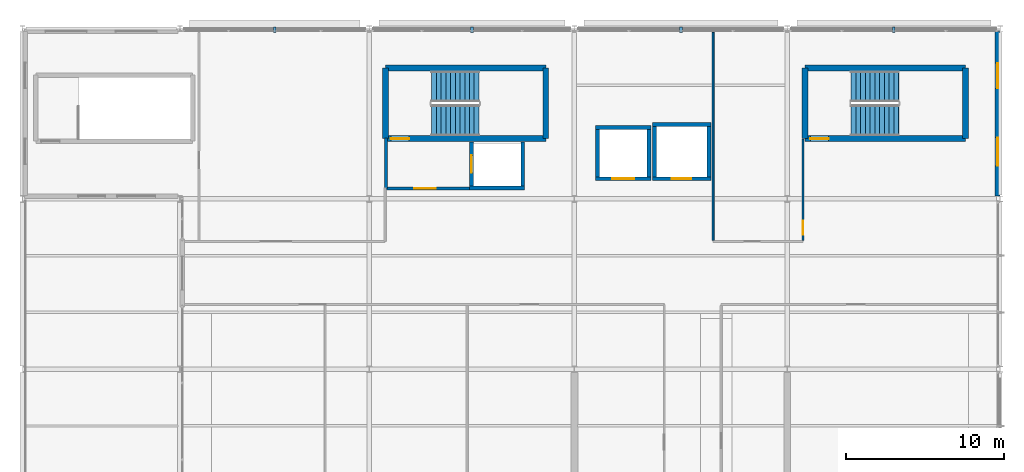
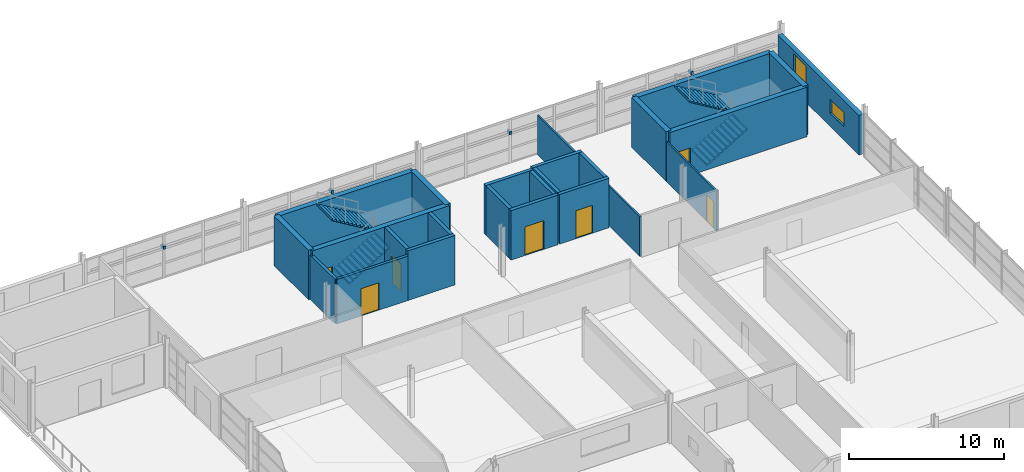
# One storey, part 29 of 33: 24 walls, 7 doors, 4 discrete accessories, 4 stair flights, 2 windows, 9 openings, 2 elements without a shape of their own.
"""IFC4 building model written with IfcOpenShell, lengths in metres."""

from ifc_helpers import new_model, si_unit, direction, frame, frame_2d, origin, origin_2d, place, context, subcontext, project, spatial, polyline, rectangle, outline, extrude, material, layer, layer_set, type_object, element, fill, aggregate, save


model = new_model("IFC4")

# Units and contexts
model_context = context("Model", 3, precision=1e-05, world=origin(), true_north=direction((0.0, 1.0)))
body_context = subcontext(model_context, "Body", "Model", "MODEL_VIEW")
ifc_project = project(units=[si_unit("LENGTHUNIT", "METRE"), si_unit("AREAUNIT", "SQUARE_METRE"), si_unit("VOLUMEUNIT", "CUBIC_METRE"), si_unit("PLANEANGLEUNIT", "RADIAN"), si_unit("MASSUNIT", "GRAM", prefix="KILO")], contexts=[model_context])

# Site, building, storey
site_placement = place(None, origin())
site = spatial("IfcSite", under=ifc_project, at=site_placement, CompositionType="ELEMENT")
building_placement = place(site_placement, origin())
building = spatial("IfcBuilding", under=site, at=building_placement, Name="Tamarisk Ironworks Central Station", CompositionType="ELEMENT")
storey_placement = place(building_placement, frame((0.0, 0.0, 21.300048828125)))
storey = spatial("IfcBuildingStorey", under=building, at=storey_placement, Name="L04", CompositionType="ELEMENT", Elevation=21.300048828125)

# Wall, openings, windows
ifc_material_1 = material(Name="Clay facing brickwork and mortar", Category="masonry")
ifc_layer_1 = layer(ifc_material_1, 0.340087890625)
ifc_layer_set_1 = layer_set([ifc_layer_1], Name="Clay facing brickwork and mortar")
wall_type_1 = type_object("IfcWallType", Name="WL-BR340", PredefinedType="STANDARD", material=ifc_layer_set_1)
wall_1_placement = place(storey_placement, frame((179.830078125, 122.221923828125, 0.0), z_axis=(0.0, 0.0, 1.0), x_axis=(0.0, -1.0, 0.0)))
wall_1 = element("IfcWall", 1, at=wall_1_placement, inside=storey, type_object=wall_type_1, Name="L04 brick facade wall 0089", PredefinedType="STANDARD", context=body_context, shape_type="SweptSolid", body=[
    extrude(rectangle(XDim=10.44384765625, YDim=0.340087890625, at=frame_2d((5.221923828125, 0.0))), origin(), (0.0, 0.0, 1.0), 3.119873046875),
])
opening_1_placement = place(wall_1_placement, frame((2.010986328125, 0.0, 0.75)))
opening_1 = element("IfcOpeningElement", 2, at=opening_1_placement, cuts=wall_1, Name="Opening W10", PredefinedType="OPENING", context=body_context, shape_type="SweptSolid", body=[
    extrude(rectangle(XDim=1.60009765625, YDim=2.10009765625, at=frame_2d((0.800048828125, 1.050048828125))), frame((0.0, 0.18212890625, 0.0), z_axis=(0.0, -1.0, 0.0), x_axis=(1.0, 0.0, 0.0)), (0.0, 0.0, 1.0), 0.364013671875),
])
opening_2_placement = place(wall_1_placement, frame((6.73291015625, 0.0, 1.050048828125)))
opening_2 = element("IfcOpeningElement", 3, at=opening_2_placement, cuts=wall_1, Name="Opening W18", PredefinedType="OPENING", context=body_context, shape_type="SweptSolid", body=[
    extrude(rectangle(XDim=1.800048828125, YDim=1.10009765625, at=frame_2d((0.89990234375, 0.550048828125))), frame((0.0, 0.18212890625, 0.0), z_axis=(0.0, -1.0, 0.0), x_axis=(1.0, 0.0, 0.0)), (0.0, 0.0, 1.0), 0.364013671875),
])
ifc_material_2 = material(Name="Laminated solar-control low-E glass", Category="glass")
window_type_1 = type_object("IfcWindowType", Name="WN-10", PartitioningType="SINGLE_PANEL", PredefinedType="WINDOW", material=ifc_material_2)
window_1_placement = place(opening_1_placement, origin())
window_1 = element("IfcWindow", 4, at=window_1_placement, inside=storey, type_object=window_type_1, Name="L04 exterior window 0152", OverallHeight=2.10009765625, OverallWidth=1.60009765625, PartitioningType="DOUBLE_PANEL_VERTICAL", PredefinedType="WINDOW", context=body_context, shape_type="SweptSolid", body=[
    extrude(rectangle(XDim=1.60009765625, YDim=2.10009765625, at=frame_2d((0.800048828125, 1.050048828125))), frame((0.0, 0.030029296875, 0.0), z_axis=(0.0, -1.0, 0.0), x_axis=(1.0, 0.0, 0.0)), (0.0, 0.0, 1.0), 0.06005859375),
])
fill(opening_1, window_1)
window_type_2 = type_object("IfcWindowType", Name="WN-18", PartitioningType="SINGLE_PANEL", PredefinedType="WINDOW", material=ifc_material_2)
window_2_placement = place(opening_2_placement, origin())
window_2 = element("IfcWindow", 5, at=window_2_placement, inside=storey, type_object=window_type_2, Name="L04 exterior window 0153", OverallHeight=1.10009765625, OverallWidth=1.800048828125, PartitioningType="DOUBLE_PANEL_VERTICAL", PredefinedType="WINDOW", context=body_context, shape_type="SweptSolid", body=[
    extrude(rectangle(XDim=1.800048828125, YDim=1.10009765625, at=frame_2d((0.89990234375, 0.550048828125))), frame((0.0, 0.030029296875, 0.0), z_axis=(0.0, -1.0, 0.0), x_axis=(1.0, 0.0, 0.0)), (0.0, 0.0, 1.0), 0.06005859375),
])
fill(opening_2, window_2)

# Wall, opening, door
ifc_material_3 = material(Name="Concrete C50/60", Category="concrete")
ifc_layer_2 = layer(ifc_material_3, 0.3798828125)
ifc_layer_set_2 = layer_set([ifc_layer_2], Name="Concrete C50/60")
wall_type_2 = type_object("IfcWallType", Name="WL-CW380", PredefinedType="SOLIDWALL", material=ifc_layer_set_2)
wall_2_placement = place(storey_placement, frame((141.014892578125, 115.4150390625, 0.0), z_axis=(0.0, 0.0, 1.0), x_axis=(1.0, 0.0, 0.0)))
wall_2 = element("IfcWall", 6, at=wall_2_placement, inside=storey, type_object=wall_type_2, Name="ST-C1 core wall L (L04)", PredefinedType="SOLIDWALL", context=body_context, shape_type="SweptSolid", body=[
    extrude(rectangle(XDim=10.170166015625, YDim=0.3798828125, at=frame_2d((5.0849609375, 0.0))), origin(), (0.0, 0.0, 1.0), 3.89990234375),
])
opening_3_placement = place(wall_2_placement, frame((0.35009765625, 0.0, 0.0048828125)))
opening_3 = element("IfcOpeningElement", 7, at=opening_3_placement, cuts=wall_2, Name="Opening FD06", PredefinedType="OPENING", context=body_context, shape_type="SweptSolid", body=[
    extrude(rectangle(XDim=1.14990234375, YDim=2.14990234375, at=frame_2d((0.574951171875, 1.074951171875))), frame((0.0, 0.201904296875, 0.0), z_axis=(0.0, -1.0, 0.0), x_axis=(1.0, 0.0, 0.0)), (0.0, 0.0, 1.0), 0.40380859375),
])
ifc_material_4 = material(Name="Galvanised hollow-metal door steel", Category="steel")
door_type_1 = type_object("IfcDoorType", Name="DR-FD06", OperationType="NOTDEFINED", PredefinedType="DOOR", material=ifc_material_4)
door_1_placement = place(opening_3_placement, origin())
door_1 = element("IfcDoor", 8, at=door_1_placement, inside=storey, type_object=door_type_1, Name="ST-C1 fire stair door (L04)", OperationType="SINGLE_SWING_LEFT", OverallHeight=2.14990234375, OverallWidth=1.14990234375, PredefinedType="DOOR", context=body_context, shape_type="SweptSolid", body=[
    extrude(rectangle(XDim=1.14990234375, YDim=2.14990234375, at=frame_2d((0.574951171875, 1.074951171875))), frame((0.0, 0.02490234375, 0.0), z_axis=(0.0, -1.0, 0.0), x_axis=(1.0, 0.0, 0.0)), (0.0, 0.0, 1.0), 0.050048828125),
])
fill(opening_3, door_1)

# Walls
wall_3_placement = place(storey_placement, frame((141.014892578125, 119.885009765625, 0.0), z_axis=(0.0, 0.0, 1.0), x_axis=(1.0, 0.0, 0.0)))
element("IfcWall", 9, at=wall_3_placement, inside=storey, type_object=wall_type_2, Name="ST-C1 core wall R (L04)", PredefinedType="SOLIDWALL", context=body_context, shape_type="SweptSolid", body=[
    extrude(rectangle(XDim=10.170166015625, YDim=0.3798828125, at=frame_2d((5.0849609375, 0.0))), origin(), (0.0, 0.0, 1.0), 3.89990234375),
])
for number, where, z_axis, x_axis, name in (
    (10, (141.014892578125, 115.4150390625, 0.0), (0.0, 0.0, 1.0), (0.0, 1.0, 0.0), "ST-C1 core wall N (L04)"),
    (11, (151.18505859375, 115.4150390625, 0.0), (0.0, 0.0, 1.0), (0.0, 1.0, 0.0), "ST-C1 core wall F (L04)"),
):
    element("IfcWall", number, at=place(storey_placement, frame(where, z_axis=z_axis, x_axis=x_axis)), inside=storey, type_object=wall_type_2, Name=name, PredefinedType="SOLIDWALL", context=body_context, shape_type="SweptSolid", body=[
        extrude(rectangle(XDim=4.469970703125, YDim=0.3798828125, at=frame_2d((2.23486328125, 0.0))), origin(), (0.0, 0.0, 1.0), 3.89990234375),
    ])

# Wall, opening, door
wall_4_placement = place(storey_placement, frame((167.614990234375, 115.4150390625, 0.0), z_axis=(0.0, 0.0, 1.0), x_axis=(1.0, 0.0, 0.0)))
wall_4 = element("IfcWall", 12, at=wall_4_placement, inside=storey, type_object=wall_type_2, Name="ST-C2 core wall L (L04)", PredefinedType="SOLIDWALL", context=body_context, shape_type="SweptSolid", body=[
    extrude(rectangle(XDim=10.169921875, YDim=0.3798828125, at=frame_2d((5.0849609375, 0.0))), origin(), (0.0, 0.0, 1.0), 3.89990234375),
])
opening_4_placement = place(wall_4_placement, frame((0.35009765625, 0.0, 0.0048828125)))
opening_4 = element("IfcOpeningElement", 13, at=opening_4_placement, cuts=wall_4, Name="Opening FD06", PredefinedType="OPENING", context=body_context, shape_type="SweptSolid", body=[
    extrude(rectangle(XDim=1.14990234375, YDim=2.14990234375, at=frame_2d((0.574951171875, 1.074951171875))), frame((0.0, 0.201904296875, 0.0), z_axis=(0.0, -1.0, 0.0), x_axis=(1.0, 0.0, 0.0)), (0.0, 0.0, 1.0), 0.40380859375),
])
door_2_placement = place(opening_4_placement, origin())
door_2 = element("IfcDoor", 14, at=door_2_placement, inside=storey, type_object=door_type_1, Name="ST-C2 fire stair door (L04)", OperationType="SINGLE_SWING_LEFT", OverallHeight=2.14990234375, OverallWidth=1.14990234375, PredefinedType="DOOR", context=body_context, shape_type="SweptSolid", body=[
    extrude(rectangle(XDim=1.14990234375, YDim=2.14990234375, at=frame_2d((0.574951171875, 1.074951171875))), frame((0.0, 0.02490234375, 0.0), z_axis=(0.0, -1.0, 0.0), x_axis=(1.0, 0.0, 0.0)), (0.0, 0.0, 1.0), 0.050048828125),
])
fill(opening_4, door_2)

# Walls
wall_5_placement = place(storey_placement, frame((167.614990234375, 119.885009765625, 0.0), z_axis=(0.0, 0.0, 1.0), x_axis=(1.0, 0.0, 0.0)))
element("IfcWall", 15, at=wall_5_placement, inside=storey, type_object=wall_type_2, Name="ST-C2 core wall R (L04)", PredefinedType="SOLIDWALL", context=body_context, shape_type="SweptSolid", body=[
    extrude(rectangle(XDim=10.169921875, YDim=0.3798828125, at=frame_2d((5.0849609375, 0.0))), origin(), (0.0, 0.0, 1.0), 3.89990234375),
])
for number, where, z_axis, x_axis, name in (
    (16, (167.614990234375, 115.4150390625, 0.0), (0.0, 0.0, 1.0), (0.0, 1.0, 0.0), "ST-C2 core wall N (L04)"),
    (17, (177.784912109375, 115.4150390625, 0.0), (0.0, 0.0, 1.0), (0.0, 1.0, 0.0), "ST-C2 core wall F (L04)"),
):
    element("IfcWall", number, at=place(storey_placement, frame(where, z_axis=z_axis, x_axis=x_axis)), inside=storey, type_object=wall_type_2, Name=name, PredefinedType="SOLIDWALL", context=body_context, shape_type="SweptSolid", body=[
        extrude(rectangle(XDim=4.469970703125, YDim=0.3798828125, at=frame_2d((2.23486328125, 0.0))), origin(), (0.0, 0.0, 1.0), 3.89990234375),
    ])

# Wall, opening, door
ifc_material_5 = material(Name="Gypsum plasterboard acoustic partition")
ifc_layer_3 = layer(ifc_material_5, 0.1201171875)
ifc_layer_set_3 = layer_set([ifc_layer_3], Name="Gypsum plasterboard acoustic partition")
wall_type_3 = type_object("IfcWallType", Name="WL-PT120", PredefinedType="PARTITIONING", material=ifc_layer_set_3)
wall_6_placement = place(storey_placement, frame((167.5, 108.972900390625, 0.0), z_axis=(0.0, 0.0, 1.0), x_axis=(0.0, 1.0, 0.0)))
wall_6 = element("IfcWall", 18, at=wall_6_placement, inside=storey, type_object=wall_type_3, Name="L04 interior partition 0123", PredefinedType="PARTITIONING", context=body_context, shape_type="SweptSolid", body=[
    extrude(rectangle(XDim=6.427001953125, YDim=0.1201171875, at=frame_2d((3.21337890625, 0.0))), origin(), (0.0, 0.0, 1.0), 3.119873046875),
])
opening_5_placement = place(wall_6_placement, frame((0.35009765625, 0.0, 0.0048828125)))
opening_5 = element("IfcOpeningElement", 19, at=opening_5_placement, cuts=wall_6, Name="Opening D08", PredefinedType="OPENING", context=body_context, shape_type="SweptSolid", body=[
    extrude(rectangle(XDim=0.89990234375, YDim=2.10009765625, at=frame_2d((0.449951171875, 1.050048828125))), frame((0.0, 0.072021484375, 0.0), z_axis=(0.0, -1.0, 0.0), x_axis=(1.0, 0.0, 0.0)), (0.0, 0.0, 1.0), 0.14404296875),
])
ifc_material_6 = material(Name="FSC certified tropical hardwood timber", Category="wood")
door_type_2 = type_object("IfcDoorType", Name="DR-ID08", OperationType="NOTDEFINED", PredefinedType="DOOR", material=ifc_material_6)
door_3_placement = place(opening_5_placement, origin())
door_3 = element("IfcDoor", 20, at=door_3_placement, inside=storey, type_object=door_type_2, Name="L04 room door 0093", OperationType="SINGLE_SWING_RIGHT", OverallHeight=2.10009765625, OverallWidth=0.89990234375, PredefinedType="DOOR", context=body_context, shape_type="SweptSolid", body=[
    extrude(rectangle(XDim=0.89990234375, YDim=2.10009765625, at=frame_2d((0.449951171875, 1.050048828125))), frame((0.0, 0.02490234375, 0.0), z_axis=(0.0, -1.0, 0.0), x_axis=(1.0, 0.0, 0.0)), (0.0, 0.0, 1.0), 0.050048828125),
])
fill(opening_5, door_3)

# Wall
wall_7_placement = place(storey_placement, frame((161.800048828125, 108.972900390625, 0.0), z_axis=(0.0, 0.0, 1.0), x_axis=(0.0, 1.0, 0.0)))
element("IfcWall", 21, at=wall_7_placement, inside=storey, type_object=wall_type_3, Name="L04 interior partition 0124", PredefinedType="PARTITIONING", context=body_context, shape_type="SweptSolid", body=[
    extrude(rectangle(XDim=13.189208984375, YDim=0.1201171875, at=frame_2d((6.5947265625, 0.0))), origin(), (0.0, 0.0, 1.0), 3.119873046875),
])

# Wall, opening, door
ifc_layer_4 = layer(ifc_material_1, 0.199951171875)
ifc_layer_set_4 = layer_set([ifc_layer_4], Name="Clay facing brickwork and mortar")
wall_type_4 = type_object("IfcWallType", Name="WL-PT200", PredefinedType="PARTITIONING", material=ifc_layer_set_4)
wall_8_placement = place(storey_placement, frame((141.050048828125, 112.25, 0.0), z_axis=(0.0, 0.0, 1.0), x_axis=(1.0, 0.0, 0.0)))
wall_8 = element("IfcWall", 22, at=wall_8_placement, inside=storey, type_object=wall_type_4, Name="Firefighting lift lobby south wall (L04)", PredefinedType="PARTITIONING", context=body_context, shape_type="SweptSolid", body=[
    extrude(rectangle(XDim=5.300048828125, YDim=0.199951171875, at=frame_2d((2.64990234375, 0.0))), origin(), (0.0, 0.0, 1.0), 3.5),
])
opening_6_placement = place(wall_8_placement, frame((1.800048828125, 0.0, 0.0048828125)))
opening_6 = element("IfcOpeningElement", 23, at=opening_6_placement, cuts=wall_8, Name="Opening FD05", PredefinedType="OPENING", context=body_context, shape_type="SweptSolid", body=[
    extrude(rectangle(XDim=1.35009765625, YDim=2.14990234375, at=frame_2d((0.675048828125, 1.074951171875))), frame((0.0, 0.11181640625, 0.0), z_axis=(0.0, -1.0, 0.0), x_axis=(1.0, 0.0, 0.0)), (0.0, 0.0, 1.0), 0.223876953125),
])
door_type_3 = type_object("IfcDoorType", Name="DR-FD05", OperationType="NOTDEFINED", PredefinedType="DOOR", material=ifc_material_4)
door_4_placement = place(opening_6_placement, origin())
door_4 = element("IfcDoor", 24, at=door_4_placement, inside=storey, type_object=door_type_3, Name="Firefighting lift lobby fire door (L04)", OperationType="SINGLE_SWING_LEFT", OverallHeight=2.14990234375, OverallWidth=1.35009765625, PredefinedType="DOOR", context=body_context, shape_type="SweptSolid", body=[
    extrude(rectangle(XDim=1.35009765625, YDim=2.14990234375, at=frame_2d((0.675048828125, 1.074951171875))), frame((0.0, 0.02490234375, 0.0), z_axis=(0.0, -1.0, 0.0), x_axis=(1.0, 0.0, 0.0)), (0.0, 0.0, 1.0), 0.050048828125),
])
fill(opening_6, door_4)

# Walls
wall_9_placement = place(storey_placement, frame((141.050048828125, 112.25, 0.0), z_axis=(0.0, 0.0, 1.0), x_axis=(0.0, 1.0, 0.0)))
element("IfcWall", 25, at=wall_9_placement, inside=storey, type_object=wall_type_4, Name="Firefighting lift lobby west wall (L04)", PredefinedType="PARTITIONING", context=body_context, shape_type="SweptSolid", body=[
    extrude(rectangle(XDim=3.199951171875, YDim=0.199951171875, at=frame_2d((1.60009765625, 0.0))), origin(), (0.0, 0.0, 1.0), 3.5),
])
ifc_layer_5 = layer(ifc_material_3, 0.25)
ifc_layer_set_5 = layer_set([ifc_layer_5], Name="Concrete C50/60")
wall_type_5 = type_object("IfcWallType", Name="WL-SH250", PredefinedType="SOLIDWALL", material=ifc_layer_set_5)
wall_10_placement = place(storey_placement, frame((146.35009765625, 112.27490234375, 0.0), z_axis=(0.0, 0.0, 1.0), x_axis=(1.0, 0.0, 0.0)))
element("IfcWall", 26, at=wall_10_placement, inside=storey, type_object=wall_type_5, Name="LF-FF1 lift shaft wall S (L04)", PredefinedType="SOLIDWALL", context=body_context, shape_type="SweptSolid", body=[
    extrude(rectangle(XDim=3.5, YDim=0.25, at=frame_2d((1.75, 0.0))), origin(), (0.0, 0.0, 1.0), 3.89990234375),
])

# Wall, opening, door
wall_11_placement = place(storey_placement, frame((146.47509765625, 112.39990234375, 0.0), z_axis=(0.0, 0.0, 1.0), x_axis=(0.0, 1.0, 0.0)))
wall_11 = element("IfcWall", 27, at=wall_11_placement, inside=storey, type_object=wall_type_5, Name="LF-FF1 lift shaft wall W (L04)", PredefinedType="SOLIDWALL", context=body_context, shape_type="SweptSolid", body=[
    extrude(rectangle(XDim=2.800048828125, YDim=0.25, at=frame_2d((1.39990234375, 0.0))), origin(), (0.0, 0.0, 1.0), 3.89990234375),
])
opening_7_placement = place(wall_11_placement, frame((0.85009765625, 0.0, 0.0048828125)))
opening_7 = element("IfcOpeningElement", 28, at=opening_7_placement, cuts=wall_11, Name="Opening LD03", PredefinedType="OPENING", context=body_context, shape_type="SweptSolid", body=[
    extrude(rectangle(XDim=1.10009765625, YDim=2.14990234375, at=frame_2d((0.550048828125, 1.074951171875))), frame((0.0, 0.136962890625, 0.0), z_axis=(0.0, -1.0, 0.0), x_axis=(1.0, 0.0, 0.0)), (0.0, 0.0, 1.0), 0.27392578125),
])
ifc_material_7 = material(Name="Brushed stainless steel AISI 316", Category="steel")
door_type_4 = type_object("IfcDoorType", Name="DR-LD03", OperationType="NOTDEFINED", PredefinedType="DOOR", material=ifc_material_7)
door_5_placement = place(opening_7_placement, origin())
door_5 = element("IfcDoor", 29, at=door_5_placement, inside=storey, type_object=door_type_4, Name="LF-FF1 sliding lift landing door (L04)", OperationType="SLIDING_TO_LEFT", OverallHeight=2.14990234375, OverallWidth=1.10009765625, PredefinedType="DOOR", context=body_context, shape_type="SweptSolid", body=[
    extrude(rectangle(XDim=1.10009765625, YDim=2.14990234375, at=frame_2d((0.550048828125, 1.074951171875))), frame((0.0, 0.02490234375, 0.0), z_axis=(0.0, -1.0, 0.0), x_axis=(1.0, 0.0, 0.0)), (0.0, 0.0, 1.0), 0.050048828125),
])
fill(opening_7, door_5)

# Wall
wall_12_placement = place(storey_placement, frame((149.72509765625, 112.39990234375, 0.0), z_axis=(0.0, 0.0, 1.0), x_axis=(0.0, 1.0, 0.0)))
element("IfcWall", 30, at=wall_12_placement, inside=storey, type_object=wall_type_5, Name="LF-FF1 lift shaft wall E (L04)", PredefinedType="SOLIDWALL", context=body_context, shape_type="SweptSolid", body=[
    extrude(rectangle(XDim=2.800048828125, YDim=0.25, at=frame_2d((1.39990234375, 0.0))), origin(), (0.0, 0.0, 1.0), 3.89990234375),
])

# Wall, opening, door
wall_13_placement = place(storey_placement, frame((154.35009765625, 112.875, 0.0), z_axis=(0.0, 0.0, 1.0), x_axis=(1.0, 0.0, 0.0)))
wall_13 = element("IfcWall", 31, at=wall_13_placement, inside=storey, type_object=wall_type_5, Name="LF-O1 lift shaft wall S (L04)", PredefinedType="SOLIDWALL", context=body_context, shape_type="SweptSolid", body=[
    extrude(rectangle(XDim=3.5, YDim=0.25, at=frame_2d((1.75, 0.0))), origin(), (0.0, 0.0, 1.0), 3.89990234375),
])
opening_8_placement = place(wall_13_placement, frame((1.050048828125, 0.0, 0.0048828125)))
opening_8 = element("IfcOpeningElement", 32, at=opening_8_placement, cuts=wall_13, Name="Opening LD01", PredefinedType="OPENING", context=body_context, shape_type="SweptSolid", body=[
    extrude(rectangle(XDim=1.39990234375, YDim=2.25, at=frame_2d((0.699951171875, 1.125))), frame((0.0, 0.136962890625, 0.0), z_axis=(0.0, -1.0, 0.0), x_axis=(1.0, 0.0, 0.0)), (0.0, 0.0, 1.0), 0.27392578125),
])
door_type_5 = type_object("IfcDoorType", Name="DR-LD01", OperationType="NOTDEFINED", PredefinedType="DOOR", material=ifc_material_7)
door_6_placement = place(opening_8_placement, origin())
door_6 = element("IfcDoor", 33, at=door_6_placement, inside=storey, type_object=door_type_5, Name="LF-O1 sliding lift landing door (L04)", OperationType="SLIDING_TO_LEFT", OverallHeight=2.25, OverallWidth=1.39990234375, PredefinedType="DOOR", context=body_context, shape_type="SweptSolid", body=[
    extrude(rectangle(XDim=1.39990234375, YDim=2.25, at=frame_2d((0.699951171875, 1.125))), frame((0.0, 0.02490234375, 0.0), z_axis=(0.0, -1.0, 0.0), x_axis=(1.0, 0.0, 0.0)), (0.0, 0.0, 1.0), 0.050048828125),
])
fill(opening_8, door_6)

# Walls
wall_14_placement = place(storey_placement, frame((154.35009765625, 116.125, 0.0), z_axis=(0.0, 0.0, 1.0), x_axis=(1.0, 0.0, 0.0)))
element("IfcWall", 34, at=wall_14_placement, inside=storey, type_object=wall_type_5, Name="LF-O1 lift shaft wall N (L04)", PredefinedType="SOLIDWALL", context=body_context, shape_type="SweptSolid", body=[
    extrude(rectangle(XDim=3.5, YDim=0.25, at=frame_2d((1.75, 0.0))), origin(), (0.0, 0.0, 1.0), 3.89990234375),
])
for number, where, z_axis, x_axis, name in (
    (35, (154.47509765625, 113.0, 0.0), (0.0, 0.0, 1.0), (0.0, 1.0, 0.0), "LF-O1 lift shaft wall W (L04)"),
    (36, (157.72509765625, 113.0, 0.0), (0.0, 0.0, 1.0), (0.0, 1.0, 0.0), "LF-O1 lift shaft wall E (L04)"),
):
    element("IfcWall", number, at=place(storey_placement, frame(where, z_axis=z_axis, x_axis=x_axis)), inside=storey, type_object=wall_type_5, Name=name, PredefinedType="SOLIDWALL", context=body_context, shape_type="SweptSolid", body=[
        extrude(rectangle(XDim=3.0, YDim=0.25, at=frame_2d((1.5, 0.0))), origin(), (0.0, 0.0, 1.0), 3.89990234375),
    ])

# Wall, opening, door
wall_15_placement = place(storey_placement, frame((157.949951171875, 112.875, 0.0), z_axis=(0.0, 0.0, 1.0), x_axis=(1.0, 0.0, 0.0)))
wall_15 = element("IfcWall", 37, at=wall_15_placement, inside=storey, type_object=wall_type_5, Name="LF-O2 lift shaft wall S (L04)", PredefinedType="SOLIDWALL", context=body_context, shape_type="SweptSolid", body=[
    extrude(rectangle(XDim=3.699951171875, YDim=0.25, at=frame_2d((1.85009765625, 0.0))), origin(), (0.0, 0.0, 1.0), 3.89990234375),
])
opening_9_placement = place(wall_15_placement, frame((1.22509765625, 0.0, 0.0048828125)))
opening_9 = element("IfcOpeningElement", 38, at=opening_9_placement, cuts=wall_15, Name="Opening LD02", PredefinedType="OPENING", context=body_context, shape_type="SweptSolid", body=[
    extrude(rectangle(XDim=1.25, YDim=2.199951171875, at=frame_2d((0.625, 1.10009765625))), frame((0.0, 0.136962890625, 0.0), z_axis=(0.0, -1.0, 0.0), x_axis=(1.0, 0.0, 0.0)), (0.0, 0.0, 1.0), 0.27392578125),
])
door_type_6 = type_object("IfcDoorType", Name="DR-LD02", OperationType="NOTDEFINED", PredefinedType="DOOR", material=ifc_material_7)
door_7_placement = place(opening_9_placement, origin())
door_7 = element("IfcDoor", 39, at=door_7_placement, inside=storey, type_object=door_type_6, Name="LF-O2 sliding lift landing door (L04)", OperationType="SLIDING_TO_LEFT", OverallHeight=2.199951171875, OverallWidth=1.25, PredefinedType="DOOR", context=body_context, shape_type="SweptSolid", body=[
    extrude(rectangle(XDim=1.25, YDim=2.199951171875, at=frame_2d((0.625, 1.10009765625))), frame((0.0, 0.02490234375, 0.0), z_axis=(0.0, -1.0, 0.0), x_axis=(1.0, 0.0, 0.0)), (0.0, 0.0, 1.0), 0.050048828125),
])
fill(opening_9, door_7)

# Walls
wall_16_placement = place(storey_placement, frame((157.949951171875, 116.324951171875, 0.0), z_axis=(0.0, 0.0, 1.0), x_axis=(1.0, 0.0, 0.0)))
element("IfcWall", 40, at=wall_16_placement, inside=storey, type_object=wall_type_5, Name="LF-O2 lift shaft wall N (L04)", PredefinedType="SOLIDWALL", context=body_context, shape_type="SweptSolid", body=[
    extrude(rectangle(XDim=3.699951171875, YDim=0.25, at=frame_2d((1.85009765625, 0.0))), origin(), (0.0, 0.0, 1.0), 3.89990234375),
])
for number, where, z_axis, x_axis, name in (
    (41, (158.074951171875, 113.0, 0.0), (0.0, 0.0, 1.0), (0.0, 1.0, 0.0), "LF-O2 lift shaft wall W (L04)"),
    (42, (161.52490234375, 113.0, 0.0), (0.0, 0.0, 1.0), (0.0, 1.0, 0.0), "LF-O2 lift shaft wall E (L04)"),
):
    element("IfcWall", number, at=place(storey_placement, frame(where, z_axis=z_axis, x_axis=x_axis)), inside=storey, type_object=wall_type_5, Name=name, PredefinedType="SOLIDWALL", context=body_context, shape_type="SweptSolid", body=[
        extrude(rectangle(XDim=3.199951171875, YDim=0.25, at=frame_2d((1.60009765625, 0.0))), origin(), (0.0, 0.0, 1.0), 3.89990234375),
    ])

# Stair, stair flights
ifc_material_8 = material(Name="Concrete C35/45", Category="concrete")
stair_type = type_object("IfcStairType", Name="ST-CORE-A", PredefinedType="HALF_TURN_STAIR", material=ifc_material_8)
stair_1_placement = place(storey_placement, origin())
stair_1 = element("IfcStair", 43, at=stair_1_placement, inside=storey, type_object=stair_type, Name="L04 Firefighting Exit Stair Core 1", PredefinedType="HALF_TURN_STAIR")
stair_flight_type = type_object("IfcStairFlightType", Name="SF-CORE-A", PredefinedType="STRAIGHT", material=ifc_material_8)
stair_flight_1_placement = place(storey_placement, frame((143.949951171875, 116.574951171875, 0.0), z_axis=(0.0, 0.0, 1.0), x_axis=(1.0, 0.0, 0.0)))
stair_flight_1 = element("IfcStairFlight", 44, at=stair_flight_1_placement, type_object=stair_flight_type, Name="ST-C1 flight 1", NumberOfRisers=11, NumberOfTreads=10, PredefinedType="STRAIGHT", RiserHeight=0.177272727, TreadLength=0.3, context=body_context, shape_type="SweptSolid", body=[
    extrude(outline(polyline([(-0.01806640625, 0.0), (-0.01806640625, 0.115234375), (0.0, 0.115234375), (0.0, 0.17724609375), (0.300048828125, 0.17724609375), (0.300048828125, 0.3544921875), (0.60009765625, 0.3544921875), (0.60009765625, 0.53173828125), (0.89990234375, 0.53173828125), (0.89990234375, 0.708984375), (1.199951171875, 0.708984375), (1.199951171875, 0.886474609375), (1.5, 0.886474609375), (1.5, 1.063720703125), (1.800048828125, 1.063720703125), (1.800048828125, 1.240966796875), (2.10009765625, 1.240966796875), (2.10009765625, 1.418212890625), (2.39990234375, 1.418212890625), (2.39990234375, 1.595458984375), (2.699951171875, 1.595458984375), (2.699951171875, 1.772705078125), (3.0, 1.772705078125), (3.0, 1.949951171875), (3.01806640625, 1.949951171875), (3.01806640625, 1.760009765625), (0.080078125, 0.0), (-0.01806640625, 0.0)])), frame((0.0, 0.97509765625, 0.0), z_axis=(0.0, -1.0, 0.0), x_axis=(1.0, 0.0, 0.0)), (0.0, 0.0, 1.0), 1.949951171875),
])
stair_flight_2_placement = place(storey_placement, frame((146.949951171875, 118.72509765625, 1.949951171875), z_axis=(0.0, 0.0, 1.0), x_axis=(-1.0, 0.0, 0.0)))
stair_flight_2 = element("IfcStairFlight", 45, at=stair_flight_2_placement, type_object=stair_flight_type, Name="ST-C1 flight 2", NumberOfRisers=11, NumberOfTreads=10, PredefinedType="STRAIGHT", RiserHeight=0.177272727, TreadLength=0.3, context=body_context, shape_type="SweptSolid", body=[
    extrude(outline(polyline([(-0.01806640625, 0.0), (-0.01806640625, 0.115234375), (0.0, 0.115234375), (0.0, 0.17724609375), (0.300048828125, 0.17724609375), (0.300048828125, 0.3544921875), (0.60009765625, 0.3544921875), (0.60009765625, 0.53173828125), (0.89990234375, 0.53173828125), (0.89990234375, 0.708984375), (1.199951171875, 0.708984375), (1.199951171875, 0.886474609375), (1.5, 0.886474609375), (1.5, 1.063720703125), (1.800048828125, 1.063720703125), (1.800048828125, 1.240966796875), (2.10009765625, 1.240966796875), (2.10009765625, 1.418212890625), (2.39990234375, 1.418212890625), (2.39990234375, 1.595458984375), (2.699951171875, 1.595458984375), (2.699951171875, 1.772705078125), (3.0, 1.772705078125), (3.0, 1.949951171875), (3.01806640625, 1.949951171875), (3.01806640625, 1.760009765625), (0.080078125, 0.0), (-0.01806640625, 0.0)])), frame((0.0, 0.97509765625, 0.0), z_axis=(0.0, -1.0, 0.0), x_axis=(1.0, 0.0, 0.0)), (0.0, 0.0, 1.0), 1.949951171875),
])
aggregate(stair_1, [stair_flight_1, stair_flight_2])

stair_2_placement = place(storey_placement, origin())
stair_2 = element("IfcStair", 46, at=stair_2_placement, inside=storey, type_object=stair_type, Name="L04 East Operations Exit Stair Core 2", PredefinedType="HALF_TURN_STAIR")
stair_flight_3_placement = place(storey_placement, frame((170.550048828125, 116.574951171875, 0.0), z_axis=(0.0, 0.0, 1.0), x_axis=(1.0, 0.0, 0.0)))
stair_flight_3 = element("IfcStairFlight", 47, at=stair_flight_3_placement, type_object=stair_flight_type, Name="ST-C2 flight 1", NumberOfRisers=11, NumberOfTreads=10, PredefinedType="STRAIGHT", RiserHeight=0.177272727, TreadLength=0.3, context=body_context, shape_type="SweptSolid", body=[
    extrude(outline(polyline([(-0.01806640625, 0.0), (-0.01806640625, 0.115234375), (0.0, 0.115234375), (0.0, 0.17724609375), (0.300048828125, 0.17724609375), (0.300048828125, 0.3544921875), (0.60009765625, 0.3544921875), (0.60009765625, 0.53173828125), (0.89990234375, 0.53173828125), (0.89990234375, 0.708984375), (1.199951171875, 0.708984375), (1.199951171875, 0.886474609375), (1.5, 0.886474609375), (1.5, 1.063720703125), (1.800048828125, 1.063720703125), (1.800048828125, 1.240966796875), (2.10009765625, 1.240966796875), (2.10009765625, 1.418212890625), (2.39990234375, 1.418212890625), (2.39990234375, 1.595458984375), (2.699951171875, 1.595458984375), (2.699951171875, 1.772705078125), (3.0, 1.772705078125), (3.0, 1.949951171875), (3.01806640625, 1.949951171875), (3.01806640625, 1.760009765625), (0.080078125, 0.0), (-0.01806640625, 0.0)])), frame((0.0, 0.97509765625, 0.0), z_axis=(0.0, -1.0, 0.0), x_axis=(1.0, 0.0, 0.0)), (0.0, 0.0, 1.0), 1.949951171875),
])
stair_flight_4_placement = place(storey_placement, frame((173.550048828125, 118.72509765625, 1.949951171875), z_axis=(0.0, 0.0, 1.0), x_axis=(-1.0, 0.0, 0.0)))
stair_flight_4 = element("IfcStairFlight", 48, at=stair_flight_4_placement, type_object=stair_flight_type, Name="ST-C2 flight 2", NumberOfRisers=11, NumberOfTreads=10, PredefinedType="STRAIGHT", RiserHeight=0.177272727, TreadLength=0.3, context=body_context, shape_type="SweptSolid", body=[
    extrude(outline(polyline([(-0.01806640625, 0.0), (-0.01806640625, 0.115234375), (0.0, 0.115234375), (0.0, 0.17724609375), (0.300048828125, 0.17724609375), (0.300048828125, 0.3544921875), (0.60009765625, 0.3544921875), (0.60009765625, 0.53173828125), (0.89990234375, 0.53173828125), (0.89990234375, 0.708984375), (1.199951171875, 0.708984375), (1.199951171875, 0.886474609375), (1.5, 0.886474609375), (1.5, 1.063720703125), (1.800048828125, 1.063720703125), (1.800048828125, 1.240966796875), (2.10009765625, 1.240966796875), (2.10009765625, 1.418212890625), (2.39990234375, 1.418212890625), (2.39990234375, 1.595458984375), (2.699951171875, 1.595458984375), (2.699951171875, 1.772705078125), (3.0, 1.772705078125), (3.0, 1.949951171875), (3.01806640625, 1.949951171875), (3.01806640625, 1.760009765625), (0.080078125, 0.0), (-0.01806640625, 0.0)])), frame((0.0, 0.97509765625, 0.0), z_axis=(0.0, -1.0, 0.0), x_axis=(1.0, 0.0, 0.0)), (0.0, 0.0, 1.0), 1.949951171875),
])
aggregate(stair_2, [stair_flight_3, stair_flight_4])

# Discrete accessories
discrete_accessory_type = type_object("IfcDiscreteAccessoryType", Name="ACC-BRK01", PredefinedType="BRACKET", material=ifc_material_7)
for number, where, z_axis, x_axis, name in (
    (49, (134.0, 122.320068359375, 2.27978515625), (0.0, 0.0, 1.0), (1.0, 0.0, 0.0), "L04 solar canopy mounting bracket 012"),
    (50, (146.5, 122.320068359375, 2.27978515625), (0.0, 0.0, 1.0), (1.0, 0.0, 0.0), "L04 solar canopy mounting bracket 013"),
    (51, (159.75, 122.320068359375, 2.27978515625), (0.0, 0.0, 1.0), (1.0, 0.0, 0.0), "L04 solar canopy mounting bracket 014"),
    (52, (173.25, 122.320068359375, 2.27978515625), (0.0, 0.0, 1.0), (1.0, 0.0, 0.0), "L04 solar canopy mounting bracket 015"),
):
    element("IfcDiscreteAccessory", number, at=place(storey_placement, frame(where, z_axis=z_axis, x_axis=x_axis)), inside=storey, type_object=discrete_accessory_type, Name=name, PredefinedType="BRACKET", context=body_context, shape_type="SweptSolid", body=[
        extrude(rectangle(XDim=0.179931640625, YDim=0.360107421875, at=origin_2d()), origin(), (0.0, 0.0, 1.0), 0.239990234375),
    ])

save(model, "model.ifc")
